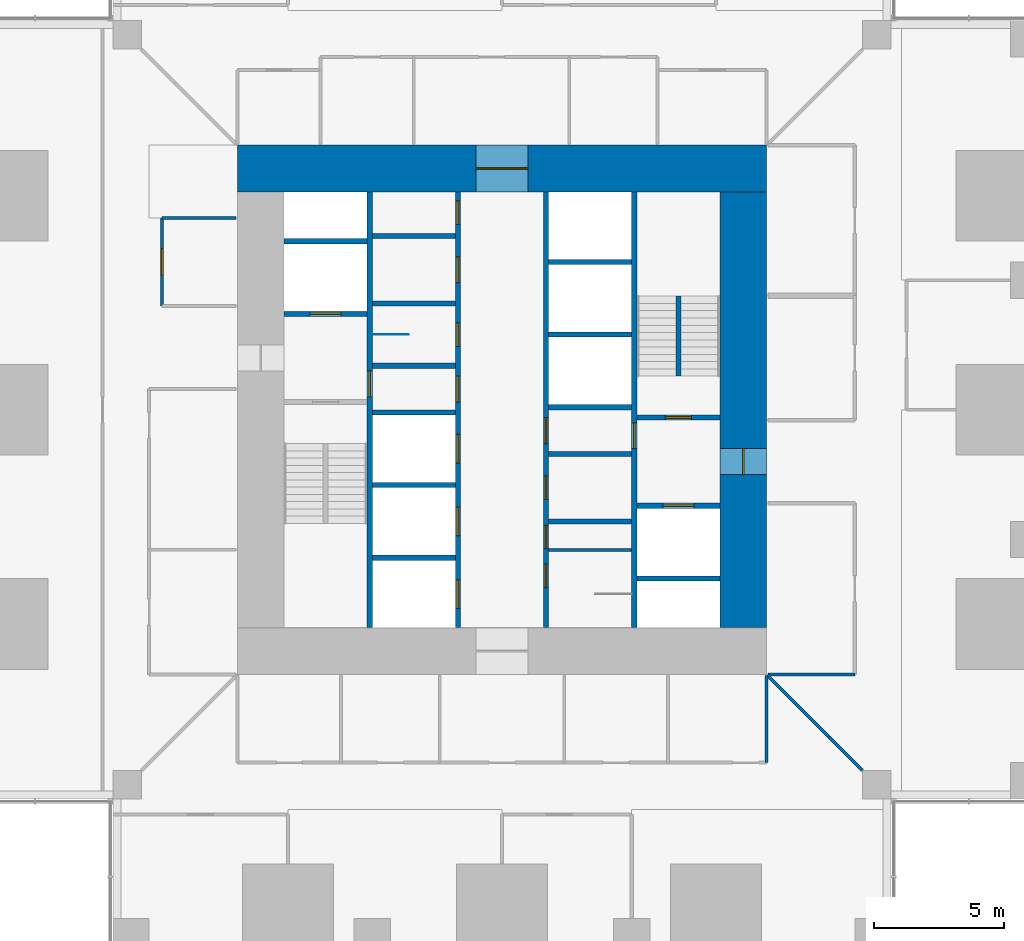
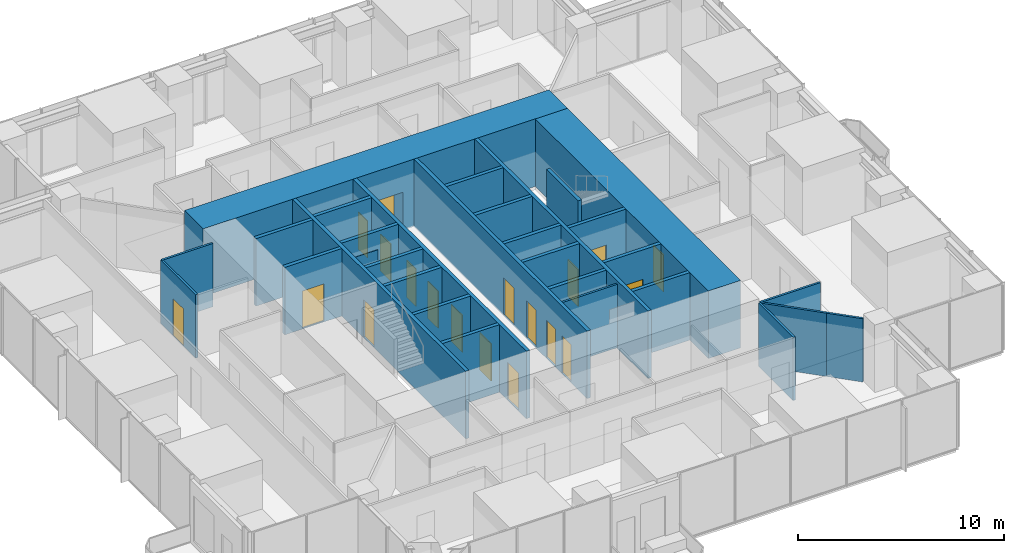
# One storey, part 12 of 18: 31 walls, 19 doors, 19 openings.
"""IFC4 building model written with IfcOpenShell, lengths in metres."""

from ifc_helpers import new_model, si_unit, direction, frame, frame_2d, origin, place, context, subcontext, project, spatial, rectangle, extrude, material, layer, layer_set, type_object, element, fill, save


model = new_model("IFC4")

# Units and contexts
model_context = context("Model", 3, precision=1e-05, world=origin(), true_north=direction((0.0, 1.0)))
body_context = subcontext(model_context, "Body", "Model", "MODEL_VIEW")
ifc_project = project(units=[si_unit("LENGTHUNIT", "METRE"), si_unit("AREAUNIT", "SQUARE_METRE"), si_unit("VOLUMEUNIT", "CUBIC_METRE"), si_unit("PLANEANGLEUNIT", "RADIAN"), si_unit("MASSUNIT", "GRAM", prefix="KILO")], contexts=[model_context])

# Site, building, storey
site_placement = place(None, origin())
site = spatial("IfcSite", under=ifc_project, at=site_placement, CompositionType="ELEMENT")
building_placement = place(site_placement, origin())
building = spatial("IfcBuilding", under=site, at=building_placement, Name="Svetlomir Tower", CompositionType="ELEMENT")
storey_placement = place(building_placement, frame((0.0, 0.0, 46.5)))
storey = spatial("IfcBuildingStorey", under=building, at=storey_placement, Name="L10", CompositionType="ELEMENT", Elevation=46.5)

# Wall, opening, door
ifc_material_1 = material(Name="Concrete C60/75", Category="concrete")
ifc_layer_1 = layer(ifc_material_1, 0.199951171875)
ifc_layer_set_1 = layer_set([ifc_layer_1], Name="Concrete C60/75")
wall_type_1 = type_object("IfcWallType", Name="CORE INNER WALL 200", PredefinedType="SHEAR", material=ifc_layer_set_1)
wall_1_placement = place(storey_placement, frame((15.89990234375, 12.60009765625, -0.050048828125), z_axis=(0.0, 0.0, 1.0), x_axis=(0.0, 1.0, 0.0)))
wall_1 = element("IfcWall", 1, at=wall_1_placement, inside=storey, type_object=wall_type_1, Name="Core inner wall 15.9 L10", PredefinedType="SHEAR", context=body_context, shape_type="SweptSolid", body=[
    extrude(rectangle(XDim=16.7998046875, YDim=0.199951171875, at=frame_2d((8.39990234375, 0.0))), origin(), (0.0, 0.0, 1.0), 4.0),
])
opening_1_placement = place(wall_1_placement, frame((8.89990234375, 0.0, 0.050048828125)))
opening_1 = element("IfcOpeningElement", 2, at=opening_1_placement, cuts=wall_1, Name="Opening DF", PredefinedType="OPENING", context=body_context, shape_type="SweptSolid", body=[
    extrude(rectangle(XDim=1.0, YDim=2.199951171875, at=frame_2d((0.5, 1.10009765625))), frame((0.0, 0.10986328125, 0.0), z_axis=(0.0, -1.0, 0.0), x_axis=(1.0, 0.0, 0.0)), (0.0, 0.0, 1.0), 0.219970703125),
])
ifc_material_2 = material(Name="Steel fire door", Category="steel")
door_type_1 = type_object("IfcDoorType", Name="DOOR DF 1000x2200", OperationType="SINGLE_SWING_LEFT", PredefinedType="DOOR", material=ifc_material_2)
door_1_placement = place(opening_1_placement, origin())
door_1 = element("IfcDoor", 3, at=door_1_placement, inside=storey, type_object=door_type_1, Name="Core corridor west door L10", OperationType="SINGLE_SWING_LEFT", OverallHeight=2.199951171875, OverallWidth=1.0, PredefinedType="DOOR", context=body_context, shape_type="SweptSolid", body=[
    extrude(rectangle(XDim=1.0, YDim=2.199951171875, at=frame_2d((0.5, 1.10009765625))), frame((0.0, 0.02490234375, 0.0), z_axis=(0.0, -1.0, 0.0), x_axis=(1.0, 0.0, 0.0)), (0.0, 0.0, 1.0), 0.050048828125),
])
fill(opening_1, door_1)

# Wall, openings, doors
wall_2_placement = place(storey_placement, frame((19.300048828125, 12.60009765625, -0.050048828125), z_axis=(0.0, 0.0, 1.0), x_axis=(0.0, 1.0, 0.0)))
wall_2 = element("IfcWall", 4, at=wall_2_placement, inside=storey, type_object=wall_type_1, Name="Core inner wall 19.3 L10", PredefinedType="SHEAR", context=body_context, shape_type="SweptSolid", body=[
    extrude(rectangle(XDim=16.7998046875, YDim=0.199951171875, at=frame_2d((8.39990234375, 0.0))), origin(), (0.0, 0.0, 1.0), 4.0),
])
opening_2_placement = place(wall_2_placement, frame((8.699951171875, 0.0, 0.050048828125)))
opening_2 = element("IfcOpeningElement", 5, at=opening_2_placement, cuts=wall_2, Name="Opening DC", PredefinedType="OPENING", context=body_context, shape_type="SweptSolid", body=[
    extrude(rectangle(XDim=1.0, YDim=2.199951171875, at=frame_2d((0.5, 1.10009765625))), frame((0.0, 0.10986328125, 0.0), z_axis=(0.0, -1.0, 0.0), x_axis=(1.0, 0.0, 0.0)), (0.0, 0.0, 1.0), 0.219970703125),
])
opening_3_placement = place(wall_2_placement, frame((10.85009765625, 0.0, 0.050048828125)))
opening_3 = element("IfcOpeningElement", 6, at=opening_3_placement, cuts=wall_2, Name="Opening DW", PredefinedType="OPENING", context=body_context, shape_type="SweptSolid", body=[
    extrude(rectangle(XDim=0.89990234375, YDim=2.199951171875, at=frame_2d((0.449951171875, 1.10009765625))), frame((0.0, 0.10986328125, 0.0), z_axis=(0.0, -1.0, 0.0), x_axis=(1.0, 0.0, 0.0)), (0.0, 0.0, 1.0), 0.219970703125),
])
opening_4_placement = place(wall_2_placement, frame((13.300048828125, 0.0, 0.050048828125)))
opening_4 = element("IfcOpeningElement", 7, at=opening_4_placement, cuts=wall_2, Name="Opening DC", PredefinedType="OPENING", context=body_context, shape_type="SweptSolid", body=[
    extrude(rectangle(XDim=1.0, YDim=2.199951171875, at=frame_2d((0.5, 1.10009765625))), frame((0.0, 0.10986328125, 0.0), z_axis=(0.0, -1.0, 0.0), x_axis=(1.0, 0.0, 0.0)), (0.0, 0.0, 1.0), 0.219970703125),
])
opening_5_placement = place(wall_2_placement, frame((15.550048828125, 0.0, 0.050048828125)))
opening_5 = element("IfcOpeningElement", 8, at=opening_5_placement, cuts=wall_2, Name="Opening DW", PredefinedType="OPENING", context=body_context, shape_type="SweptSolid", body=[
    extrude(rectangle(XDim=0.89990234375, YDim=2.199951171875, at=frame_2d((0.449951171875, 1.10009765625))), frame((0.0, 0.10986328125, 0.0), z_axis=(0.0, -1.0, 0.0), x_axis=(1.0, 0.0, 0.0)), (0.0, 0.0, 1.0), 0.219970703125),
])
opening_6_placement = place(wall_2_placement, frame((0.75, 0.0, 0.050048828125)))
opening_6 = element("IfcOpeningElement", 9, at=opening_6_placement, cuts=wall_2, Name="Opening LD", PredefinedType="OPENING", context=body_context, shape_type="SweptSolid", body=[
    extrude(rectangle(XDim=1.10009765625, YDim=2.199951171875, at=frame_2d((0.550048828125, 1.10009765625))), frame((0.0, 0.10986328125, 0.0), z_axis=(0.0, -1.0, 0.0), x_axis=(1.0, 0.0, 0.0)), (0.0, 0.0, 1.0), 0.219970703125),
])
opening_7_placement = place(wall_2_placement, frame((3.550048828125, 0.0, 0.050048828125)))
opening_7 = element("IfcOpeningElement", 10, at=opening_7_placement, cuts=wall_2, Name="Opening LD", PredefinedType="OPENING", context=body_context, shape_type="SweptSolid", body=[
    extrude(rectangle(XDim=1.10009765625, YDim=2.199951171875, at=frame_2d((0.550048828125, 1.10009765625))), frame((0.0, 0.10986328125, 0.0), z_axis=(0.0, -1.0, 0.0), x_axis=(1.0, 0.0, 0.0)), (0.0, 0.0, 1.0), 0.219970703125),
])
opening_8_placement = place(wall_2_placement, frame((6.35009765625, 0.0, 0.050048828125)))
opening_8 = element("IfcOpeningElement", 11, at=opening_8_placement, cuts=wall_2, Name="Opening LD", PredefinedType="OPENING", context=body_context, shape_type="SweptSolid", body=[
    extrude(rectangle(XDim=1.10009765625, YDim=2.199951171875, at=frame_2d((0.550048828125, 1.10009765625))), frame((0.0, 0.10986328125, 0.0), z_axis=(0.0, -1.0, 0.0), x_axis=(1.0, 0.0, 0.0)), (0.0, 0.0, 1.0), 0.219970703125),
])
ifc_material_3 = material(Name="Timber fire door", Category="wood")
door_type_2 = type_object("IfcDoorType", Name="DOOR DC 1000x2200", OperationType="SINGLE_SWING_LEFT", PredefinedType="DOOR", material=ifc_material_3)
door_2_placement = place(opening_2_placement, origin())
door_2 = element("IfcDoor", 12, at=door_2_placement, inside=storey, type_object=door_type_2, Name="Core corridor west lobby door L10", OperationType="SINGLE_SWING_RIGHT", OverallHeight=2.199951171875, OverallWidth=1.0, PredefinedType="DOOR", context=body_context, shape_type="SweptSolid", body=[
    extrude(rectangle(XDim=1.0, YDim=2.199951171875, at=frame_2d((0.5, 1.10009765625))), frame((0.0, 0.02490234375, 0.0), z_axis=(0.0, -1.0, 0.0), x_axis=(1.0, 0.0, 0.0)), (0.0, 0.0, 1.0), 0.050048828125),
])
fill(opening_2, door_2)
door_3_placement = place(opening_4_placement, origin())
door_3 = element("IfcDoor", 13, at=door_3_placement, inside=storey, type_object=door_type_2, Name="Accessible WC door L10", OperationType="SINGLE_SWING_LEFT", OverallHeight=2.199951171875, OverallWidth=1.0, PredefinedType="DOOR", context=body_context, shape_type="SweptSolid", body=[
    extrude(rectangle(XDim=1.0, YDim=2.199951171875, at=frame_2d((0.5, 1.10009765625))), frame((0.0, 0.02490234375, 0.0), z_axis=(0.0, -1.0, 0.0), x_axis=(1.0, 0.0, 0.0)), (0.0, 0.0, 1.0), 0.050048828125),
])
fill(opening_4, door_3)
ifc_material_4 = material(Name="Timber fire door", Category="wood")
door_type_3 = type_object("IfcDoorType", Name="DOOR DW 900x2200", OperationType="SINGLE_SWING_LEFT", PredefinedType="DOOR", material=ifc_material_4)
door_4_placement = place(opening_3_placement, origin())
door_4 = element("IfcDoor", 14, at=door_4_placement, inside=storey, type_object=door_type_3, Name="Female WC door L10", OperationType="SINGLE_SWING_RIGHT", OverallHeight=2.199951171875, OverallWidth=0.89990234375, PredefinedType="DOOR", context=body_context, shape_type="SweptSolid", body=[
    extrude(rectangle(XDim=0.89990234375, YDim=2.199951171875, at=frame_2d((0.449951171875, 1.10009765625))), frame((0.0, 0.02490234375, 0.0), z_axis=(0.0, -1.0, 0.0), x_axis=(1.0, 0.0, 0.0)), (0.0, 0.0, 1.0), 0.050048828125),
])
fill(opening_3, door_4)
door_5_placement = place(opening_5_placement, origin())
door_5 = element("IfcDoor", 15, at=door_5_placement, inside=storey, type_object=door_type_3, Name="First aid room door L10", OperationType="SINGLE_SWING_RIGHT", OverallHeight=2.199951171875, OverallWidth=0.89990234375, PredefinedType="DOOR", context=body_context, shape_type="SweptSolid", body=[
    extrude(rectangle(XDim=0.89990234375, YDim=2.199951171875, at=frame_2d((0.449951171875, 1.10009765625))), frame((0.0, 0.02490234375, 0.0), z_axis=(0.0, -1.0, 0.0), x_axis=(1.0, 0.0, 0.0)), (0.0, 0.0, 1.0), 0.050048828125),
])
fill(opening_5, door_5)
ifc_material_5 = material(Name="Stainless steel landing door", Category="steel")
door_type_4 = type_object("IfcDoorType", Name="LIFT LANDING DOOR LD 1100x2200", OperationType="DOUBLE_DOOR_SLIDING", PredefinedType="DOOR", material=ifc_material_5)
door_6_placement = place(opening_6_placement, origin())
door_6 = element("IfcDoor", 16, at=door_6_placement, inside=storey, type_object=door_type_4, Name="Landing door lift LA1 L10", OperationType="DOUBLE_DOOR_SLIDING", OverallHeight=2.199951171875, OverallWidth=1.10009765625, PredefinedType="DOOR", context=body_context, shape_type="SweptSolid", body=[
    extrude(rectangle(XDim=1.10009765625, YDim=2.199951171875, at=frame_2d((0.550048828125, 1.10009765625))), frame((0.0, 0.02490234375, 0.0), z_axis=(0.0, -1.0, 0.0), x_axis=(1.0, 0.0, 0.0)), (0.0, 0.0, 1.0), 0.050048828125),
])
fill(opening_6, door_6)
door_7_placement = place(opening_7_placement, origin())
door_7 = element("IfcDoor", 17, at=door_7_placement, inside=storey, type_object=door_type_4, Name="Landing door lift LA2 L10", OperationType="DOUBLE_DOOR_SLIDING", OverallHeight=2.199951171875, OverallWidth=1.10009765625, PredefinedType="DOOR", context=body_context, shape_type="SweptSolid", body=[
    extrude(rectangle(XDim=1.10009765625, YDim=2.199951171875, at=frame_2d((0.550048828125, 1.10009765625))), frame((0.0, 0.02490234375, 0.0), z_axis=(0.0, -1.0, 0.0), x_axis=(1.0, 0.0, 0.0)), (0.0, 0.0, 1.0), 0.050048828125),
])
fill(opening_7, door_7)
door_8_placement = place(opening_8_placement, origin())
door_8 = element("IfcDoor", 18, at=door_8_placement, inside=storey, type_object=door_type_4, Name="Landing door lift LA3 L10", OperationType="DOUBLE_DOOR_SLIDING", OverallHeight=2.199951171875, OverallWidth=1.10009765625, PredefinedType="DOOR", context=body_context, shape_type="SweptSolid", body=[
    extrude(rectangle(XDim=1.10009765625, YDim=2.199951171875, at=frame_2d((0.550048828125, 1.10009765625))), frame((0.0, 0.02490234375, 0.0), z_axis=(0.0, -1.0, 0.0), x_axis=(1.0, 0.0, 0.0)), (0.0, 0.0, 1.0), 0.050048828125),
])
fill(opening_8, door_8)

wall_3_placement = place(storey_placement, frame((22.699951171875, 12.60009765625, -0.050048828125), z_axis=(0.0, 0.0, 1.0), x_axis=(0.0, 1.0, 0.0)))
wall_3 = element("IfcWall", 19, at=wall_3_placement, inside=storey, type_object=wall_type_1, Name="Core inner wall 22.7 L10", PredefinedType="SHEAR", context=body_context, shape_type="SweptSolid", body=[
    extrude(rectangle(XDim=16.7998046875, YDim=0.199951171875, at=frame_2d((8.39990234375, 0.0))), origin(), (0.0, 0.0, 1.0), 4.0),
])
opening_9_placement = place(wall_3_placement, frame((3.050048828125, 0.0, 0.050048828125)))
opening_9 = element("IfcOpeningElement", 20, at=opening_9_placement, cuts=wall_3, Name="Opening DW", PredefinedType="OPENING", context=body_context, shape_type="SweptSolid", body=[
    extrude(rectangle(XDim=0.89990234375, YDim=2.199951171875, at=frame_2d((0.449951171875, 1.10009765625))), frame((0.0, 0.10986328125, 0.0), z_axis=(0.0, -1.0, 0.0), x_axis=(1.0, 0.0, 0.0)), (0.0, 0.0, 1.0), 0.219970703125),
])
opening_10_placement = place(wall_3_placement, frame((7.10009765625, 0.0, 0.050048828125)))
opening_10 = element("IfcOpeningElement", 21, at=opening_10_placement, cuts=wall_3, Name="Opening DC", PredefinedType="OPENING", context=body_context, shape_type="SweptSolid", body=[
    extrude(rectangle(XDim=1.0, YDim=2.199951171875, at=frame_2d((0.5, 1.10009765625))), frame((0.0, 0.10986328125, 0.0), z_axis=(0.0, -1.0, 0.0), x_axis=(1.0, 0.0, 0.0)), (0.0, 0.0, 1.0), 0.219970703125),
])
opening_11_placement = place(wall_3_placement, frame((1.550048828125, 0.0, 0.050048828125)))
opening_11 = element("IfcOpeningElement", 22, at=opening_11_placement, cuts=wall_3, Name="Opening DW", PredefinedType="OPENING", context=body_context, shape_type="SweptSolid", body=[
    extrude(rectangle(XDim=0.89990234375, YDim=2.199951171875, at=frame_2d((0.449951171875, 1.10009765625))), frame((0.0, 0.10986328125, 0.0), z_axis=(0.0, -1.0, 0.0), x_axis=(1.0, 0.0, 0.0)), (0.0, 0.0, 1.0), 0.219970703125),
])
opening_12_placement = place(wall_3_placement, frame((4.949951171875, 0.0, 0.050048828125)))
opening_12 = element("IfcOpeningElement", 23, at=opening_12_placement, cuts=wall_3, Name="Opening DW", PredefinedType="OPENING", context=body_context, shape_type="SweptSolid", body=[
    extrude(rectangle(XDim=0.89990234375, YDim=2.199951171875, at=frame_2d((0.449951171875, 1.10009765625))), frame((0.0, 0.10986328125, 0.0), z_axis=(0.0, -1.0, 0.0), x_axis=(1.0, 0.0, 0.0)), (0.0, 0.0, 1.0), 0.219970703125),
])
door_9_placement = place(opening_10_placement, origin())
door_9 = element("IfcDoor", 24, at=door_9_placement, inside=storey, type_object=door_type_2, Name="Core corridor east lobby door L10", OperationType="SINGLE_SWING_LEFT", OverallHeight=2.199951171875, OverallWidth=1.0, PredefinedType="DOOR", context=body_context, shape_type="SweptSolid", body=[
    extrude(rectangle(XDim=1.0, YDim=2.199951171875, at=frame_2d((0.5, 1.10009765625))), frame((0.0, 0.02490234375, 0.0), z_axis=(0.0, -1.0, 0.0), x_axis=(1.0, 0.0, 0.0)), (0.0, 0.0, 1.0), 0.050048828125),
])
fill(opening_10, door_9)
door_10_placement = place(opening_9_placement, origin())
door_10 = element("IfcDoor", 25, at=door_10_placement, inside=storey, type_object=door_type_3, Name="Shower and changing room door L10", OperationType="SINGLE_SWING_LEFT", OverallHeight=2.199951171875, OverallWidth=0.89990234375, PredefinedType="DOOR", context=body_context, shape_type="SweptSolid", body=[
    extrude(rectangle(XDim=0.89990234375, YDim=2.199951171875, at=frame_2d((0.449951171875, 1.10009765625))), frame((0.0, 0.02490234375, 0.0), z_axis=(0.0, -1.0, 0.0), x_axis=(1.0, 0.0, 0.0)), (0.0, 0.0, 1.0), 0.050048828125),
])
fill(opening_9, door_10)
door_11_placement = place(opening_11_placement, origin())
door_11 = element("IfcDoor", 26, at=door_11_placement, inside=storey, type_object=door_type_3, Name="Male WC door L10", OperationType="SINGLE_SWING_RIGHT", OverallHeight=2.199951171875, OverallWidth=0.89990234375, PredefinedType="DOOR", context=body_context, shape_type="SweptSolid", body=[
    extrude(rectangle(XDim=0.89990234375, YDim=2.199951171875, at=frame_2d((0.449951171875, 1.10009765625))), frame((0.0, 0.02490234375, 0.0), z_axis=(0.0, -1.0, 0.0), x_axis=(1.0, 0.0, 0.0)), (0.0, 0.0, 1.0), 0.050048828125),
])
fill(opening_11, door_11)
door_12_placement = place(opening_12_placement, origin())
door_12 = element("IfcDoor", 27, at=door_12_placement, inside=storey, type_object=door_type_3, Name="Comms room door L10", OperationType="SINGLE_SWING_RIGHT", OverallHeight=2.199951171875, OverallWidth=0.89990234375, PredefinedType="DOOR", context=body_context, shape_type="SweptSolid", body=[
    extrude(rectangle(XDim=0.89990234375, YDim=2.199951171875, at=frame_2d((0.449951171875, 1.10009765625))), frame((0.0, 0.02490234375, 0.0), z_axis=(0.0, -1.0, 0.0), x_axis=(1.0, 0.0, 0.0)), (0.0, 0.0, 1.0), 0.050048828125),
])
fill(opening_12, door_12)

# Wall, opening, door
wall_4_placement = place(storey_placement, frame((26.10009765625, 12.60009765625, -0.050048828125), z_axis=(0.0, 0.0, 1.0), x_axis=(0.0, 1.0, 0.0)))
wall_4 = element("IfcWall", 28, at=wall_4_placement, inside=storey, type_object=wall_type_1, Name="Core inner wall 26.1 L10", PredefinedType="SHEAR", context=body_context, shape_type="SweptSolid", body=[
    extrude(rectangle(XDim=16.7998046875, YDim=0.199951171875, at=frame_2d((8.39990234375, 0.0))), origin(), (0.0, 0.0, 1.0), 4.0),
])
opening_13_placement = place(wall_4_placement, frame((6.89990234375, 0.0, 0.050048828125)))
opening_13 = element("IfcOpeningElement", 29, at=opening_13_placement, cuts=wall_4, Name="Opening DF", PredefinedType="OPENING", context=body_context, shape_type="SweptSolid", body=[
    extrude(rectangle(XDim=1.0, YDim=2.199951171875, at=frame_2d((0.5, 1.10009765625))), frame((0.0, 0.10986328125, 0.0), z_axis=(0.0, -1.0, 0.0), x_axis=(1.0, 0.0, 0.0)), (0.0, 0.0, 1.0), 0.219970703125),
])
door_13_placement = place(opening_13_placement, origin())
door_13 = element("IfcDoor", 30, at=door_13_placement, inside=storey, type_object=door_type_1, Name="Core corridor east door L10", OperationType="SINGLE_SWING_LEFT", OverallHeight=2.199951171875, OverallWidth=1.0, PredefinedType="DOOR", context=body_context, shape_type="SweptSolid", body=[
    extrude(rectangle(XDim=1.0, YDim=2.199951171875, at=frame_2d((0.5, 1.10009765625))), frame((0.0, 0.02490234375, 0.0), z_axis=(0.0, -1.0, 0.0), x_axis=(1.0, 0.0, 0.0)), (0.0, 0.0, 1.0), 0.050048828125),
])
fill(opening_13, door_13)

wall_5_placement = place(storey_placement, frame((12.60009765625, 24.699951171875, -0.050048828125), z_axis=(0.0, 0.0, 1.0), x_axis=(1.0, 0.0, 0.0)))
wall_5 = element("IfcWall", 31, at=wall_5_placement, inside=storey, type_object=wall_type_1, Name="Core inner wall 12.6-15.8/24.7 L10", PredefinedType="SHEAR", context=body_context, shape_type="SweptSolid", body=[
    extrude(rectangle(XDim=3.199951171875, YDim=0.199951171875, at=frame_2d((1.60009765625, 0.0))), origin(), (0.0, 0.0, 1.0), 4.0),
])
opening_14_placement = place(wall_5_placement, frame((1.0, 0.0, 0.050048828125)))
opening_14 = element("IfcOpeningElement", 32, at=opening_14_placement, cuts=wall_5, Name="Opening LD3", PredefinedType="OPENING", context=body_context, shape_type="SweptSolid", body=[
    extrude(rectangle(XDim=1.199951171875, YDim=2.199951171875, at=frame_2d((0.60009765625, 1.10009765625))), frame((0.0, 0.10986328125, 0.0), z_axis=(0.0, -1.0, 0.0), x_axis=(1.0, 0.0, 0.0)), (0.0, 0.0, 1.0), 0.219970703125),
])
ifc_material_6 = material(Name="Stainless steel fire-rated landing door", Category="steel")
door_type_5 = type_object("IfcDoorType", Name="FIREFIGHTING LIFT LANDING DOOR LD3 1200x2200", OperationType="DOUBLE_DOOR_SLIDING", PredefinedType="DOOR", material=ifc_material_6)
door_14_placement = place(opening_14_placement, origin())
door_14 = element("IfcDoor", 33, at=door_14_placement, inside=storey, type_object=door_type_5, Name="Landing door lift FL1 L10", OperationType="DOUBLE_DOOR_SLIDING", OverallHeight=2.199951171875, OverallWidth=1.199951171875, PredefinedType="DOOR", context=body_context, shape_type="SweptSolid", body=[
    extrude(rectangle(XDim=1.199951171875, YDim=2.199951171875, at=frame_2d((0.60009765625, 1.10009765625))), frame((0.0, 0.02490234375, 0.0), z_axis=(0.0, -1.0, 0.0), x_axis=(1.0, 0.0, 0.0)), (0.0, 0.0, 1.0), 0.050048828125),
])
fill(opening_14, door_14)

# Walls
for number, where, z_axis, x_axis, name in (
    (34, (12.60009765625, 27.5, -0.050048828125), (0.0, 0.0, 1.0), (1.0, 0.0, 0.0), "Core inner wall 12.6-15.8/27.5 L10"),
    (35, (16.0, 15.300048828125, -0.050048828125), (0.0, 0.0, 1.0), (1.0, 0.0, 0.0), "Core inner wall 16-19.2/15.3 L10"),
    (36, (16.0, 18.10009765625, -0.050048828125), (0.0, 0.0, 1.0), (1.0, 0.0, 0.0), "Core inner wall 16-19.2/18.1 L10"),
    (37, (16.0, 20.89990234375, -0.050048828125), (0.0, 0.0, 1.0), (1.0, 0.0, 0.0), "Core inner wall 16-19.2/20.9 L10"),
    (38, (16.0, 22.699951171875, -0.050048828125), (0.0, 0.0, 1.0), (1.0, 0.0, 0.0), "Core inner wall 16-19.2/22.7 L10"),
    (39, (16.0, 25.10009765625, -0.050048828125), (0.0, 0.0, 1.0), (1.0, 0.0, 0.0), "Core inner wall 16-19.2/25.1 L10"),
    (40, (16.0, 27.699951171875, -0.050048828125), (0.0, 0.0, 1.0), (1.0, 0.0, 0.0), "Core inner wall 16-19.2/27.7 L10"),
    (41, (22.800048828125, 16.699951171875, -0.050048828125), (0.0, 0.0, 1.0), (1.0, 0.0, 0.0), "Core inner wall 22.8-26/16.7 L10"),
    (42, (22.800048828125, 19.300048828125, -0.050048828125), (0.0, 0.0, 1.0), (1.0, 0.0, 0.0), "Core inner wall 22.8-26/19.3 L10"),
    (43, (22.800048828125, 21.10009765625, -0.050048828125), (0.0, 0.0, 1.0), (1.0, 0.0, 0.0), "Core inner wall 22.8-26/21.1 L10"),
    (44, (22.800048828125, 23.89990234375, -0.050048828125), (0.0, 0.0, 1.0), (1.0, 0.0, 0.0), "Core inner wall 22.8-26/23.9 L10"),
    (45, (22.800048828125, 26.699951171875, -0.050048828125), (0.0, 0.0, 1.0), (1.0, 0.0, 0.0), "Core inner wall 22.8-26/26.7 L10"),
    (46, (26.199951171875, 14.5, -0.050048828125), (0.0, 0.0, 1.0), (1.0, 0.0, 0.0), "Core inner wall 26.2-29.4/14.5 L10"),
):
    element("IfcWall", number, at=place(storey_placement, frame(where, z_axis=z_axis, x_axis=x_axis)), inside=storey, type_object=wall_type_1, Name=name, PredefinedType="SHEAR", context=body_context, shape_type="SweptSolid", body=[
        extrude(rectangle(XDim=3.199951171875, YDim=0.199951171875, at=frame_2d((1.60009765625, 0.0))), origin(), (0.0, 0.0, 1.0), 4.0),
    ])

# Wall, opening, door
wall_6_placement = place(storey_placement, frame((26.199951171875, 17.300048828125, -0.050048828125), z_axis=(0.0, 0.0, 1.0), x_axis=(1.0, 0.0, 0.0)))
wall_6 = element("IfcWall", 47, at=wall_6_placement, inside=storey, type_object=wall_type_1, Name="Core inner wall 26.2-29.4/17.3 L10", PredefinedType="SHEAR", context=body_context, shape_type="SweptSolid", body=[
    extrude(rectangle(XDim=3.199951171875, YDim=0.199951171875, at=frame_2d((1.60009765625, 0.0))), origin(), (0.0, 0.0, 1.0), 4.0),
])
opening_15_placement = place(wall_6_placement, frame((1.0, 0.0, 0.050048828125)))
opening_15 = element("IfcOpeningElement", 48, at=opening_15_placement, cuts=wall_6, Name="Opening LD3", PredefinedType="OPENING", context=body_context, shape_type="SweptSolid", body=[
    extrude(rectangle(XDim=1.199951171875, YDim=2.199951171875, at=frame_2d((0.60009765625, 1.10009765625))), frame((0.0, 0.10986328125, 0.0), z_axis=(0.0, -1.0, 0.0), x_axis=(1.0, 0.0, 0.0)), (0.0, 0.0, 1.0), 0.219970703125),
])
door_15_placement = place(opening_15_placement, origin())
door_15 = element("IfcDoor", 49, at=door_15_placement, inside=storey, type_object=door_type_5, Name="Landing door lift FL2 L10", OperationType="DOUBLE_DOOR_SLIDING", OverallHeight=2.199951171875, OverallWidth=1.199951171875, PredefinedType="DOOR", context=body_context, shape_type="SweptSolid", body=[
    extrude(rectangle(XDim=1.199951171875, YDim=2.199951171875, at=frame_2d((0.60009765625, 1.10009765625))), frame((0.0, 0.02490234375, 0.0), z_axis=(0.0, -1.0, 0.0), x_axis=(1.0, 0.0, 0.0)), (0.0, 0.0, 1.0), 0.050048828125),
])
fill(opening_15, door_15)

wall_7_placement = place(storey_placement, frame((26.199951171875, 20.699951171875, -0.050048828125), z_axis=(0.0, 0.0, 1.0), x_axis=(1.0, 0.0, 0.0)))
wall_7 = element("IfcWall", 50, at=wall_7_placement, inside=storey, type_object=wall_type_1, Name="Core inner wall 26.2-29.4/20.7 L10", PredefinedType="SHEAR", context=body_context, shape_type="SweptSolid", body=[
    extrude(rectangle(XDim=3.199951171875, YDim=0.199951171875, at=frame_2d((1.60009765625, 0.0))), origin(), (0.0, 0.0, 1.0), 4.0),
])
opening_16_placement = place(wall_7_placement, frame((1.10009765625, 0.0, 0.050048828125)))
opening_16 = element("IfcOpeningElement", 51, at=opening_16_placement, cuts=wall_7, Name="Opening DF", PredefinedType="OPENING", context=body_context, shape_type="SweptSolid", body=[
    extrude(rectangle(XDim=1.0, YDim=2.199951171875, at=frame_2d((0.5, 1.10009765625))), frame((0.0, 0.10986328125, 0.0), z_axis=(0.0, -1.0, 0.0), x_axis=(1.0, 0.0, 0.0)), (0.0, 0.0, 1.0), 0.219970703125),
])
door_16_placement = place(opening_16_placement, origin())
door_16 = element("IfcDoor", 52, at=door_16_placement, inside=storey, type_object=door_type_1, Name="Stair S2 door L10", OperationType="SINGLE_SWING_LEFT", OverallHeight=2.199951171875, OverallWidth=1.0, PredefinedType="DOOR", context=body_context, shape_type="SweptSolid", body=[
    extrude(rectangle(XDim=1.0, YDim=2.199951171875, at=frame_2d((0.5, 1.10009765625))), frame((0.0, 0.02490234375, 0.0), z_axis=(0.0, -1.0, 0.0), x_axis=(1.0, 0.0, 0.0)), (0.0, 0.0, 1.0), 0.050048828125),
])
fill(opening_16, door_16)

ifc_material_7 = material(Name="Concrete C60/75", Category="concrete")
ifc_layer_2 = layer(ifc_material_7, 1.800048828125)
ifc_layer_set_2 = layer_set([ifc_layer_2], Name="Concrete C60/75")
wall_type_2 = type_object("IfcWallType", Name="CORE WALL 1800", PredefinedType="SHEAR", material=ifc_layer_set_2)
wall_8_placement = place(storey_placement, frame((10.800048828125, 30.300048828125, -0.050048828125), z_axis=(0.0, 0.0, 1.0), x_axis=(1.0, 0.0, 0.0)))
wall_8 = element("IfcWall", 53, at=wall_8_placement, inside=storey, type_object=wall_type_2, Name="Core wall north L10", PredefinedType="SHEAR", context=body_context, shape_type="SweptSolid", body=[
    extrude(rectangle(XDim=20.39990234375, YDim=1.800048828125, at=frame_2d((10.199951171875, 0.0))), origin(), (0.0, 0.0, 1.0), 4.0),
])
opening_17_placement = place(wall_8_placement, frame((9.199951171875, 0.0, 0.050048828125)))
opening_17 = element("IfcOpeningElement", 54, at=opening_17_placement, cuts=wall_8, Name="Opening DL", PredefinedType="OPENING", context=body_context, shape_type="SweptSolid", body=[
    extrude(rectangle(XDim=2.0, YDim=2.199951171875, at=frame_2d((1.0, 1.10009765625))), frame((0.0, 0.91015625, 0.0), z_axis=(0.0, -1.0, 0.0), x_axis=(1.0, 0.0, 0.0)), (0.0, 0.0, 1.0), 1.820068359375),
])
ifc_material_8 = material(Name="Steel fire door", Category="steel")
door_type_6 = type_object("IfcDoorType", Name="DOOR DL 2000x2200", OperationType="DOUBLE_DOOR_SINGLE_SWING", PredefinedType="DOOR", material=ifc_material_8)
door_17_placement = place(opening_17_placement, origin())
door_17 = element("IfcDoor", 55, at=door_17_placement, inside=storey, type_object=door_type_6, Name="Lift lobby north door L10", OperationType="DOUBLE_DOOR_SINGLE_SWING", OverallHeight=2.199951171875, OverallWidth=2.0, PredefinedType="DOOR", context=body_context, shape_type="SweptSolid", body=[
    extrude(rectangle(XDim=2.0, YDim=2.199951171875, at=frame_2d((1.0, 1.10009765625))), frame((0.0, 0.02490234375, 0.0), z_axis=(0.0, -1.0, 0.0), x_axis=(1.0, 0.0, 0.0)), (0.0, 0.0, 1.0), 0.050048828125),
])
fill(opening_17, door_17)

wall_9_placement = place(storey_placement, frame((30.300048828125, 12.60009765625, -0.050048828125), z_axis=(0.0, 0.0, 1.0), x_axis=(0.0, 1.0, 0.0)))
wall_9 = element("IfcWall", 56, at=wall_9_placement, inside=storey, type_object=wall_type_2, Name="Core wall east L10", PredefinedType="SHEAR", context=body_context, shape_type="SweptSolid", body=[
    extrude(rectangle(XDim=16.7998046875, YDim=1.800048828125, at=frame_2d((8.39990234375, 0.0))), origin(), (0.0, 0.0, 1.0), 4.0),
])
opening_18_placement = place(wall_9_placement, frame((5.89990234375, 0.0, 0.050048828125)))
opening_18 = element("IfcOpeningElement", 57, at=opening_18_placement, cuts=wall_9, Name="Opening DF", PredefinedType="OPENING", context=body_context, shape_type="SweptSolid", body=[
    extrude(rectangle(XDim=1.0, YDim=2.199951171875, at=frame_2d((0.5, 1.10009765625))), frame((0.0, 0.91015625, 0.0), z_axis=(0.0, -1.0, 0.0), x_axis=(1.0, 0.0, 0.0)), (0.0, 0.0, 1.0), 1.820068359375),
])
door_18_placement = place(opening_18_placement, origin())
door_18 = element("IfcDoor", 58, at=door_18_placement, inside=storey, type_object=door_type_1, Name="Firefighting lobby east door L10", OperationType="SINGLE_SWING_LEFT", OverallHeight=2.199951171875, OverallWidth=1.0, PredefinedType="DOOR", context=body_context, shape_type="SweptSolid", body=[
    extrude(rectangle(XDim=1.0, YDim=2.199951171875, at=frame_2d((0.5, 1.10009765625))), frame((0.0, 0.02490234375, 0.0), z_axis=(0.0, -1.0, 0.0), x_axis=(1.0, 0.0, 0.0)), (0.0, 0.0, 1.0), 0.050048828125),
])
fill(opening_18, door_18)

# Wall
ifc_material_9 = material(Name="Gypsum board on steel studs", Category="steel")
ifc_layer_3 = layer(ifc_material_9, 0.1201171875)
ifc_layer_set_3 = layer_set([ifc_layer_3], Name="Gypsum board on steel studs")
wall_type_3 = type_object("IfcWallType", Name="PARTITION 120", PredefinedType="PARTITIONING", material=ifc_layer_set_3)
wall_10_placement = place(storey_placement, frame((22.800048828125, 15.60009765625, 0.0), z_axis=(0.0, 0.0, 1.0), x_axis=(1.0, 0.0, 0.0)))
element("IfcWall", 59, at=wall_10_placement, inside=storey, type_object=wall_type_3, Name="Shower room partition L10", PredefinedType="PARTITIONING", context=body_context, shape_type="SweptSolid", body=[
    extrude(rectangle(XDim=3.199951171875, YDim=0.1201171875, at=frame_2d((1.60009765625, 0.0))), origin(), (0.0, 0.0, 1.0), 3.75),
])

# Wall, opening, door
wall_11_placement = place(storey_placement, frame((7.89990234375, 25.0, 0.0), z_axis=(0.0, 0.0, 1.0), x_axis=(0.0, 1.0, 0.0)))
wall_11 = element("IfcWall", 60, at=wall_11_placement, inside=storey, type_object=wall_type_3, Name="Partition L10", PredefinedType="PARTITIONING", context=body_context, shape_type="SweptSolid", body=[
    extrude(rectangle(XDim=3.39990234375, YDim=0.1201171875, at=frame_2d((1.699951171875, 0.0))), origin(), (0.0, 0.0, 1.0), 3.75),
])
opening_19_placement = place(wall_11_placement, frame((1.199951171875, 0.0, 0.0)))
opening_19 = element("IfcOpeningElement", 61, at=opening_19_placement, cuts=wall_11, Name="Opening DR", PredefinedType="OPENING", context=body_context, shape_type="SweptSolid", body=[
    extrude(rectangle(XDim=1.0, YDim=2.199951171875, at=frame_2d((0.5, 1.10009765625))), frame((0.0, 0.070068359375, 0.0), z_axis=(0.0, -1.0, 0.0), x_axis=(1.0, 0.0, 0.0)), (0.0, 0.0, 1.0), 0.14013671875),
])
ifc_material_10 = material(Name="Timber door, glazed side light", Category="wood")
door_type_7 = type_object("IfcDoorType", Name="DOOR DR 1000x2200", OperationType="SINGLE_SWING_LEFT", PredefinedType="DOOR", material=ifc_material_10)
door_19_placement = place(opening_19_placement, origin())
door_19 = element("IfcDoor", 62, at=door_19_placement, inside=storey, type_object=door_type_7, Name="Comms rack room door L10", OperationType="SINGLE_SWING_LEFT", OverallHeight=2.199951171875, OverallWidth=1.0, PredefinedType="DOOR", context=body_context, shape_type="SweptSolid", body=[
    extrude(rectangle(XDim=1.0, YDim=2.199951171875, at=frame_2d((0.5, 1.10009765625))), frame((0.0, 0.02490234375, 0.0), z_axis=(0.0, -1.0, 0.0), x_axis=(1.0, 0.0, 0.0)), (0.0, 0.0, 1.0), 0.050048828125),
])
fill(opening_19, door_19)

# Walls
wall_12_placement = place(storey_placement, frame((7.89990234375, 28.39990234375, 0.0), z_axis=(0.0, 0.0, 1.0), x_axis=(1.0, 0.0, 0.0)))
element("IfcWall", 63, at=wall_12_placement, inside=storey, type_object=wall_type_3, Name="Partition L10", PredefinedType="PARTITIONING", context=body_context, shape_type="SweptSolid", body=[
    extrude(rectangle(XDim=2.85009765625, YDim=0.1201171875, at=frame_2d((1.425048828125, 0.0))), origin(), (0.0, 0.0, 1.0), 3.75),
])
wall_13_placement = place(storey_placement, frame((31.199951171875, 7.39990234375, 0.0), z_axis=(0.0, 0.0, 1.0), x_axis=(0.0, 1.0, 0.0)))
element("IfcWall", 64, at=wall_13_placement, inside=storey, type_object=wall_type_3, Name="Partition L10", PredefinedType="PARTITIONING", context=body_context, shape_type="SweptSolid", body=[
    extrude(rectangle(XDim=3.35009765625, YDim=0.1201171875, at=frame_2d((1.675048828125, 0.0))), origin(), (0.0, 0.0, 1.0), 3.75),
])
wall_14_placement = place(storey_placement, frame((31.2353515625, 10.7646484375, 0.0), z_axis=(0.0, 0.0, 1.0), x_axis=(0.707106781187, -0.707106781187, 0.0)))
element("IfcWall", 65, at=wall_14_placement, inside=storey, type_object=wall_type_3, Name="Partition L10", PredefinedType="PARTITIONING", context=body_context, shape_type="SweptSolid", body=[
    extrude(rectangle(XDim=3.346435546875, YDim=0.1201171875, at=frame_2d((1.67333984375, 0.0))), origin(), (0.0, 0.0, 1.0), 3.75),
])
wall_15_placement = place(storey_placement, frame((31.25, 10.800048828125, 0.0), z_axis=(0.0, 0.0, 1.0), x_axis=(1.0, 0.0, 0.0)))
element("IfcWall", 66, at=wall_15_placement, inside=storey, type_object=wall_type_3, Name="Partition L10", PredefinedType="PARTITIONING", context=body_context, shape_type="SweptSolid", body=[
    extrude(rectangle(XDim=3.35009765625, YDim=0.1201171875, at=frame_2d((1.675048828125, 0.0))), origin(), (0.0, 0.0, 1.0), 3.75),
])
wall_16_placement = place(storey_placement, frame((33.6015625, 8.3984375, 0.0), z_axis=(0.0, 0.0, 1.0), x_axis=(0.707106781187, -0.707106781187, 0.0)))
element("IfcWall", 67, at=wall_16_placement, inside=storey, type_object=wall_type_3, Name="Partition L10", PredefinedType="PARTITIONING", context=body_context, shape_type="SweptSolid", body=[
    extrude(rectangle(XDim=1.822021484375, YDim=0.1201171875, at=frame_2d((0.9111328125, 0.0))), origin(), (0.0, 0.0, 1.0), 3.75),
])
ifc_material_11 = material(Name="Concrete C60/75", Category="concrete")
ifc_layer_4 = layer(ifc_material_11, 0.199951171875)
ifc_layer_set_4 = layer_set([ifc_layer_4], Name="Concrete C60/75")
wall_type_4 = type_object("IfcWallType", Name="STAIR SPINE WALL 200", PredefinedType="PARTITIONING", material=ifc_layer_set_4)
wall_17_placement = place(storey_placement, frame((27.800048828125, 22.300048828125, 0.0), z_axis=(0.0, 0.0, 1.0), x_axis=(0.0, 1.0, 0.0)))
element("IfcWall", 68, at=wall_17_placement, inside=storey, type_object=wall_type_4, Name="Stair S2 spine wall L10", PredefinedType="PARTITIONING", context=body_context, shape_type="SweptSolid", body=[
    extrude(rectangle(XDim=3.079833984375, YDim=0.199951171875, at=frame_2d((1.5400390625, 0.0))), origin(), (0.0, 0.0, 1.0), 4.0),
])
ifc_material_12 = material(Name="Compact laminate panel", Category="plastic")
ifc_layer_5 = layer(ifc_material_12, 0.030029296875)
ifc_layer_set_5 = layer_set([ifc_layer_5], Name="Compact laminate panel")
wall_type_5 = type_object("IfcWallType", Name="WC CUBICLE PARTITION 30", PredefinedType="PARTITIONING", material=ifc_layer_set_5)
wall_18_placement = place(storey_placement, frame((16.0, 23.89990234375, 0.0), z_axis=(0.0, 0.0, 1.0), x_axis=(1.0, 0.0, 0.0)))
element("IfcWall", 69, at=wall_18_placement, inside=storey, type_object=wall_type_5, Name="WC cubicle partition L10", PredefinedType="PARTITIONING", context=body_context, shape_type="SweptSolid", body=[
    extrude(rectangle(XDim=1.39990234375, YDim=0.030029296875, at=frame_2d((0.699951171875, 0.0))), origin(), (0.0, 0.0, 1.0), 3.75),
])

save(model, "model.ifc")
